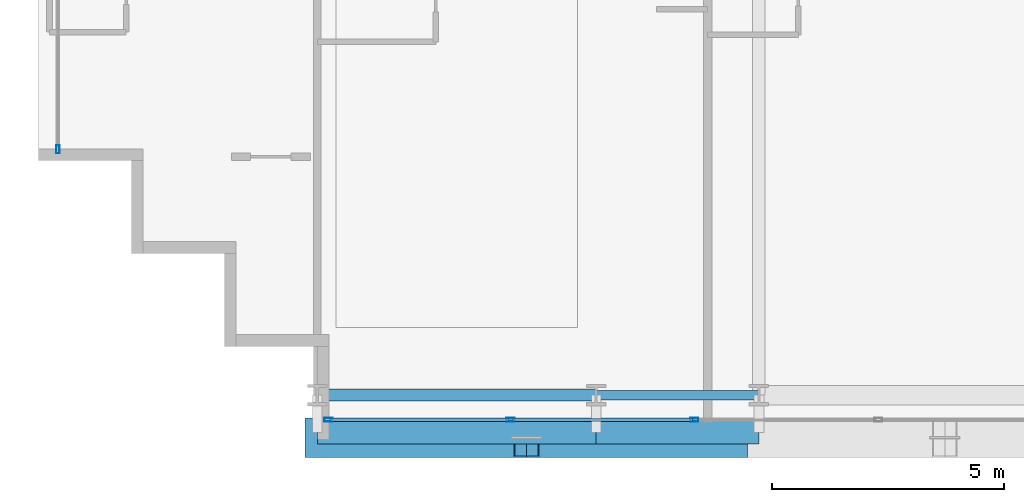
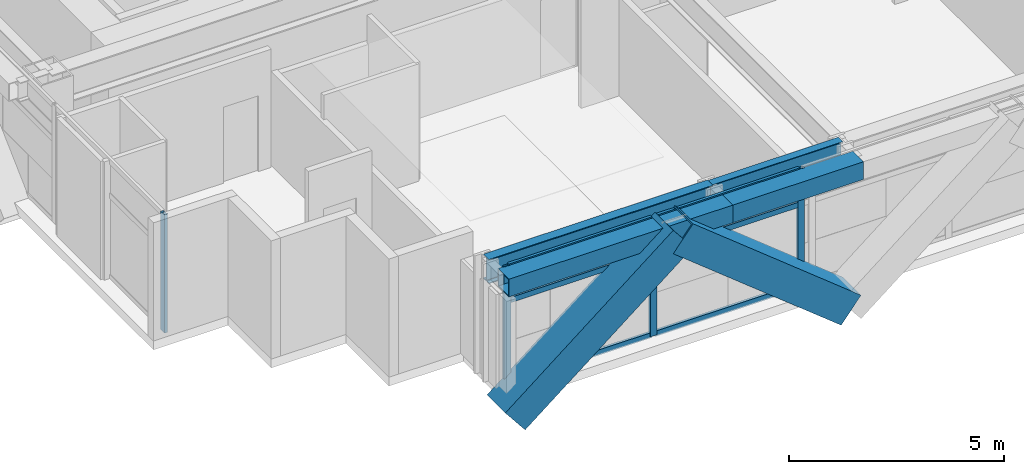
# One storey, part 2 of 35: 12 members, 4 beams, 2 elements without a shape of their own.
"""IFC4 building model written with IfcOpenShell, lengths in metres."""

from ifc_helpers import new_model, si_unit, direction, frame, origin, origin_2d, place, context, subcontext, project, spatial, hollow_rectangle, i_section, extrude, source, transform, mapped, material, layer, layer_set, material_profile, profile_set, type_object, element, aggregate, save


model = new_model("IFC4")

# Units and contexts
model_context = context("Model", 3, precision=1e-05, world=origin(), true_north=direction((0.0, 1.0)))
body_context = subcontext(model_context, "Body", "Model", "MODEL_VIEW")
ifc_project = project(units=[si_unit("LENGTHUNIT", "METRE"), si_unit("AREAUNIT", "SQUARE_METRE"), si_unit("VOLUMEUNIT", "CUBIC_METRE"), si_unit("PLANEANGLEUNIT", "RADIAN"), si_unit("MASSUNIT", "GRAM", prefix="KILO")], contexts=[model_context])

# Site, building, storey
site_placement = place(None, origin())
site = spatial("IfcSite", under=ifc_project, at=site_placement, CompositionType="ELEMENT")
building_placement = place(site_placement, origin())
building = spatial("IfcBuilding", under=site, at=building_placement, Name="Ocotamira Hotel", CompositionType="ELEMENT")
storey_placement = place(building_placement, frame((0.0, 0.0, 56.39990234375)))
storey = spatial("IfcBuildingStorey", under=building, at=storey_placement, Name="L13", CompositionType="ELEMENT", Elevation=56.39990234375)

# Beams
ifc_material_1 = material(Name="Steel ASTM A992 Grade 50", Category="steel")
ifc_material_profile_1 = material_profile(ifc_material_1, i_section(OverallWidth=0.256103515625, OverallDepth=0.693115234375, WebThickness=0.014404296875, FlangeThickness=0.023681640625, FilletRadius=0.01611328125, at=origin_2d()), Name="W27X114")
ifc_profile_set_1 = profile_set([ifc_material_profile_1], Name="Steel ASTM A992 Grade 50")
beam_type_1 = type_object("IfcBeamType", Name="BM-PRIM-W27X114", PredefinedType="BEAM", material=ifc_profile_set_1)
shared_shape_1 = source(origin(), body_context, "Body", "SweptSolid", [
    extrude(i_section(OverallWidth=0.256103515625, OverallDepth=0.693115234375, WebThickness=0.014404296875, FlangeThickness=0.023681640625, FilletRadius=0.01611328125, at=origin_2d()), origin(), (0.0, 0.0, 1.0), 6.0),
])
beam_1_placement = place(storey_placement, frame((14.0, 2.949951171875, 3.003662109375), z_axis=(1.0, 0.0, 0.0), x_axis=(0.0, 1.0, 0.0)))
element("IfcBeam", 1, at=beam_1_placement, inside=storey, type_object=beam_type_1, Name="L13 Girder Y2.95 X14-20", PredefinedType="BEAM", context=body_context, shape_type="MappedRepresentation", body=[
    mapped(shared_shape_1, transform((0.0, 0.0, 0.0), scale=1.0)),
])
ifc_material_profile_2 = material_profile(ifc_material_1, i_section(OverallWidth=0.2099609375, OverallDepth=0.537109375, WebThickness=0.010986328125, FlangeThickness=0.017333984375, FilletRadius=0.012939453125, at=origin_2d()), Name="W21X68")
ifc_profile_set_2 = profile_set([ifc_material_profile_2], Name="Steel ASTM A992 Grade 50")
beam_type_2 = type_object("IfcBeamType", Name="BM-SEC-W21X68", PredefinedType="JOIST", material=ifc_profile_set_2)
shared_shape_2 = source(origin(), body_context, "Body", "SweptSolid", [
    extrude(i_section(OverallWidth=0.2099609375, OverallDepth=0.537109375, WebThickness=0.010986328125, FlangeThickness=0.017333984375, FilletRadius=0.012939453125, at=origin_2d()), origin(), (0.0, 0.0, 1.0), 3.5),
])
beam_2_placement = place(storey_placement, frame((20.0, 2.949951171875, 3.08154296875), z_axis=(1.0, 0.0, 0.0), x_axis=(0.0, 1.0, 0.0)))
element("IfcBeam", 2, at=beam_2_placement, inside=storey, type_object=beam_type_2, Name="L13 Girder Y2.95 X20-23.5", PredefinedType="JOIST", context=body_context, shape_type="MappedRepresentation", body=[
    mapped(shared_shape_2, transform((0.0, 0.0, 0.0), scale=1.0)),
])
ifc_material_2 = material(Name="Steel ASTM A500 Grade C", Category="steel")
ifc_material_profile_3 = material_profile(ifc_material_2, hollow_rectangle(XDim=0.5, YDim=0.5, WallThickness=0.02001953125, at=origin_2d()), Name="HSS500X500X20")
ifc_profile_set_3 = profile_set([ifc_material_profile_3], Name="Steel ASTM A500 Grade C")
beam_type_3 = type_object("IfcBeamType", Name="BM-SPAN-HSS500", PredefinedType="USERDEFINED", material=ifc_profile_set_3)
shared_shape_3 = source(origin(), body_context, "Body", "SweptSolid", [
    extrude(hollow_rectangle(XDim=0.5, YDim=0.5, WallThickness=0.02001953125, at=origin_2d()), origin(), (0.0, 0.0, 1.0), 6.0),
])
beam_3_placement = place(storey_placement, frame((14.0, 2.14990234375, 3.10009765625), z_axis=(1.0, 0.0, 0.0), x_axis=(0.0, 1.0, 0.0)))
element("IfcBeam", 3, at=beam_3_placement, inside=storey, type_object=beam_type_3, Name="L13 Edge Spandrel S X14-20", ObjectType="SPANDREL", PredefinedType="USERDEFINED", context=body_context, shape_type="MappedRepresentation", body=[
    mapped(shared_shape_3, transform((0.0, 0.0, 0.0), scale=1.0)),
])
shared_shape_4 = source(origin(), body_context, "Body", "SweptSolid", [
    extrude(hollow_rectangle(XDim=0.5, YDim=0.5, WallThickness=0.02001953125, at=origin_2d()), origin(), (0.0, 0.0, 1.0), 3.5),
])
beam_4_placement = place(storey_placement, frame((20.0, 2.14990234375, 3.10009765625), z_axis=(1.0, 0.0, 0.0), x_axis=(0.0, 1.0, 0.0)))
element("IfcBeam", 4, at=beam_4_placement, inside=storey, type_object=beam_type_3, Name="L13 Edge Spandrel S X20-23.5", ObjectType="SPANDREL", PredefinedType="USERDEFINED", context=body_context, shape_type="MappedRepresentation", body=[
    mapped(shared_shape_4, transform((0.0, 0.0, 0.0), scale=1.0)),
])

# Members
ifc_material_3 = material(Name="Pale-metal coated steel ASTM A913 Grade 65", Category="steel")
ifc_material_profile_4 = material_profile(ifc_material_3, hollow_rectangle(XDim=0.85009765625, YDim=0.85009765625, WallThickness=0.035888671875, at=origin_2d()), Name="BOX850X850X36")
ifc_profile_set_4 = profile_set([ifc_material_profile_4], Name="Pale-metal coated steel ASTM A913 Grade 65")
member_type_1 = type_object("IfcMemberType", Name="MEM-EXO-BOX850", PredefinedType="BRACE", material=ifc_profile_set_4)
shared_shape_5 = source(origin(), body_context, "Body", "SweptSolid", [
    extrude(hollow_rectangle(XDim=0.85009765625, YDim=0.85009765625, WallThickness=0.035888671875, at=origin_2d()), origin(), (0.0, 0.0, 1.0), 5.762939453125),
])
for number, where, z_axis, x_axis, name in (
    (5, (14.0, 2.030029296875, -0.5), (0.780860543151, 0.0, 0.624705380279), (0.0, 1.0, 0.0), "L13 Exoskeleton Diagrid S0.1"),
    (6, (23.0, 2.030029296875, -0.5), (-0.780860543151, 0.0, 0.624705380279), (0.0, -1.0, 0.0), "L13 Exoskeleton Diagrid S0.2"),
):
    element("IfcMember", number, at=place(storey_placement, frame(where, z_axis=z_axis, x_axis=x_axis)), inside=storey, type_object=member_type_1, Name=name, PredefinedType="BRACE", context=body_context, shape_type="MappedRepresentation", body=[
        mapped(shared_shape_5, transform((0.0, 0.0, 0.0), scale=1.0)),
    ])

# Curtain wall, members
ifc_material_4 = material(Name="Anodised pale-metal aluminium and solar glass", Category="aluminium")
ifc_layer = layer(ifc_material_4, 0.179931640625)
ifc_layer_set = layer_set([ifc_layer], Name="Anodised pale-metal aluminium and solar glass")
curtain_wall_type = type_object("IfcCurtainWallType", Name="CW-SYS2-Z1", PredefinedType="NOTDEFINED", material=ifc_layer_set)
curtain_wall_1_placement = place(storey_placement, origin())
curtain_wall_1 = element("IfcCurtainWall", 7, at=curtain_wall_1_placement, inside=storey, type_object=curtain_wall_type, Name="L13 Curtain Wall CW-2 CW-L13-S1", PredefinedType="NOTDEFINED")
ifc_material_5 = material(Name="Anodised pale-metal aluminium 6063-T6", Category="aluminium")
ifc_material_profile_5 = material_profile(ifc_material_5, hollow_rectangle(XDim=0.074951171875, YDim=0.14990234375, WallThickness=0.006103515625, at=origin_2d()), Name="HSS150X75X6")
ifc_profile_set_5 = profile_set([ifc_material_profile_5], Name="Anodised pale-metal aluminium 6063-T6")
member_type_2 = type_object("IfcMemberType", Name="CWT-150X75", PredefinedType="USERDEFINED", material=ifc_profile_set_5)
shared_shape_6 = source(origin(), body_context, "Body", "SweptSolid", [
    extrude(hollow_rectangle(XDim=0.074951171875, YDim=0.14990234375, WallThickness=0.006103515625, at=origin_2d()), origin(), (0.0, 0.0, 1.0), 3.83544921875),
])
member_1_placement = place(storey_placement, frame((14.280029296875, 2.419921875, 0.03759765625), z_axis=(1.0, 0.0, 0.0), x_axis=(0.0, 1.0, 0.0)))
member_1 = element("IfcMember", 8, at=member_1_placement, type_object=member_type_2, Name="CW-2 transom 1.1", ObjectType="TRANSOM", PredefinedType="USERDEFINED", context=body_context, shape_type="MappedRepresentation", body=[
    mapped(shared_shape_6, transform((0.0, 0.0, 0.0), scale=1.0)),
])
member_2_placement = place(storey_placement, frame((14.280029296875, 2.419921875, 2.35009765625), z_axis=(1.0, 0.0, 0.0), x_axis=(0.0, 1.0, 0.0)))
member_2 = element("IfcMember", 9, at=member_2_placement, type_object=member_type_2, Name="CW-2 transom 1.2", ObjectType="TRANSOM", PredefinedType="USERDEFINED", context=body_context, shape_type="MappedRepresentation", body=[
    mapped(shared_shape_6, transform((0.0, 0.0, 0.0), scale=1.0)),
])
member_3_placement = place(storey_placement, frame((14.280029296875, 2.419921875, 3.3125), z_axis=(1.0, 0.0, 0.0), x_axis=(0.0, 1.0, 0.0)))
member_3 = element("IfcMember", 10, at=member_3_placement, type_object=member_type_2, Name="CW-2 transom 1.3", ObjectType="TRANSOM", PredefinedType="USERDEFINED", context=body_context, shape_type="MappedRepresentation", body=[
    mapped(shared_shape_6, transform((0.0, 0.0, 0.0), scale=1.0)),
])
shared_shape_7 = source(origin(), body_context, "Body", "SweptSolid", [
    extrude(hollow_rectangle(XDim=0.074951171875, YDim=0.14990234375, WallThickness=0.006103515625, at=origin_2d()), origin(), (0.0, 0.0, 1.0), 3.87548828125),
])
member_4_placement = place(storey_placement, frame((18.195556640625, 2.419921875, 0.03759765625), z_axis=(1.0, 0.0, 0.0), x_axis=(0.0, 1.0, 0.0)))
member_4 = element("IfcMember", 11, at=member_4_placement, type_object=member_type_2, Name="CW-2 transom 2.1", ObjectType="TRANSOM", PredefinedType="USERDEFINED", context=body_context, shape_type="MappedRepresentation", body=[
    mapped(shared_shape_7, transform((0.0, 0.0, 0.0), scale=1.0)),
])
member_5_placement = place(storey_placement, frame((18.195556640625, 2.419921875, 2.35009765625), z_axis=(1.0, 0.0, 0.0), x_axis=(0.0, 1.0, 0.0)))
member_5 = element("IfcMember", 12, at=member_5_placement, type_object=member_type_2, Name="CW-2 transom 2.2", ObjectType="TRANSOM", PredefinedType="USERDEFINED", context=body_context, shape_type="MappedRepresentation", body=[
    mapped(shared_shape_7, transform((0.0, 0.0, 0.0), scale=1.0)),
])
member_6_placement = place(storey_placement, frame((18.195556640625, 2.419921875, 3.3125), z_axis=(1.0, 0.0, 0.0), x_axis=(0.0, 1.0, 0.0)))
member_6 = element("IfcMember", 13, at=member_6_placement, type_object=member_type_2, Name="CW-2 transom 2.3", ObjectType="TRANSOM", PredefinedType="USERDEFINED", context=body_context, shape_type="MappedRepresentation", body=[
    mapped(shared_shape_7, transform((0.0, 0.0, 0.0), scale=1.0)),
])
ifc_material_profile_6 = material_profile(ifc_material_5, hollow_rectangle(XDim=0.080078125, YDim=0.179931640625, WallThickness=0.006103515625, at=origin_2d()), Name="HSS180X80X6")
ifc_profile_set_6 = profile_set([ifc_material_profile_6], Name="Anodised pale-metal aluminium 6063-T6")
member_type_3 = type_object("IfcMemberType", Name="CWM-180X75", PredefinedType="MULLION", material=ifc_profile_set_6)
shared_shape_8 = source(origin(), body_context, "Body", "SweptSolid", [
    extrude(hollow_rectangle(XDim=0.080078125, YDim=0.179931640625, WallThickness=0.006103515625, at=origin_2d()), origin(), (0.0, 0.0, 1.0), 3.35009765625),
])
member_7_placement = place(storey_placement, frame((14.239990234375, 2.419921875, 0.0), z_axis=(0.0, 0.0, 1.0), x_axis=(0.0, 1.0, 0.0)))
member_7 = element("IfcMember", 14, at=member_7_placement, type_object=member_type_3, Name="CW-2 mullion 1", PredefinedType="MULLION", context=body_context, shape_type="MappedRepresentation", body=[
    mapped(shared_shape_8, transform((0.0, 0.0, 0.0), scale=1.0)),
])
member_8_placement = place(storey_placement, frame((18.155517578125, 2.419921875, 0.0), z_axis=(0.0, 0.0, 1.0), x_axis=(0.0, 1.0, 0.0)))
member_8 = element("IfcMember", 15, at=member_8_placement, type_object=member_type_3, Name="CW-2 mullion 2", PredefinedType="MULLION", context=body_context, shape_type="MappedRepresentation", body=[
    mapped(shared_shape_8, transform((0.0, 0.0, 0.0), scale=1.0)),
])
member_9_placement = place(storey_placement, frame((22.111083984375, 2.419921875, 0.0), z_axis=(0.0, 0.0, 1.0), x_axis=(0.0, 1.0, 0.0)))
member_9 = element("IfcMember", 16, at=member_9_placement, type_object=member_type_3, Name="CW-2 mullion 3", PredefinedType="MULLION", context=body_context, shape_type="MappedRepresentation", body=[
    mapped(shared_shape_8, transform((0.0, 0.0, 0.0), scale=1.0)),
])
aggregate(curtain_wall_1, [member_7, member_8, member_9, member_1, member_2, member_3, member_4, member_5, member_6])

# Curtain wall, member
curtain_wall_2_placement = place(storey_placement, origin())
curtain_wall_2 = element("IfcCurtainWall", 17, at=curtain_wall_2_placement, inside=storey, type_object=curtain_wall_type, Name="L13 Curtain Wall CW-2 CW-L13-W", PredefinedType="NOTDEFINED")
member_10_placement = place(storey_placement, frame((8.419921875, 8.239990234375, 0.0), z_axis=(0.0, 0.0, 1.0), x_axis=(-1.0, 0.0, 0.0)))
member_10 = element("IfcMember", 18, at=member_10_placement, type_object=member_type_3, Name="CW-2 mullion 1", PredefinedType="MULLION", context=body_context, shape_type="MappedRepresentation", body=[
    mapped(shared_shape_8, transform((0.0, 0.0, 0.0), scale=1.0)),
])
aggregate(curtain_wall_2, [member_10])

save(model, "model.ifc")
